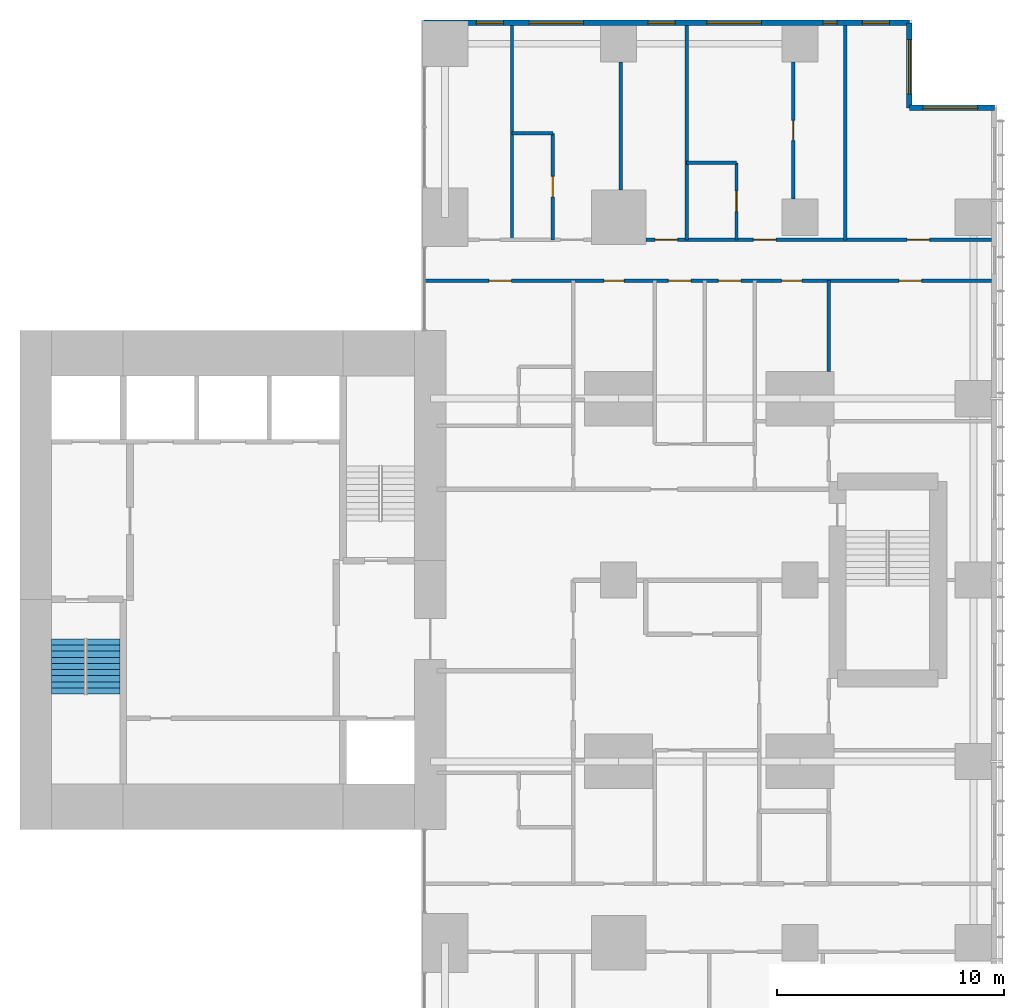
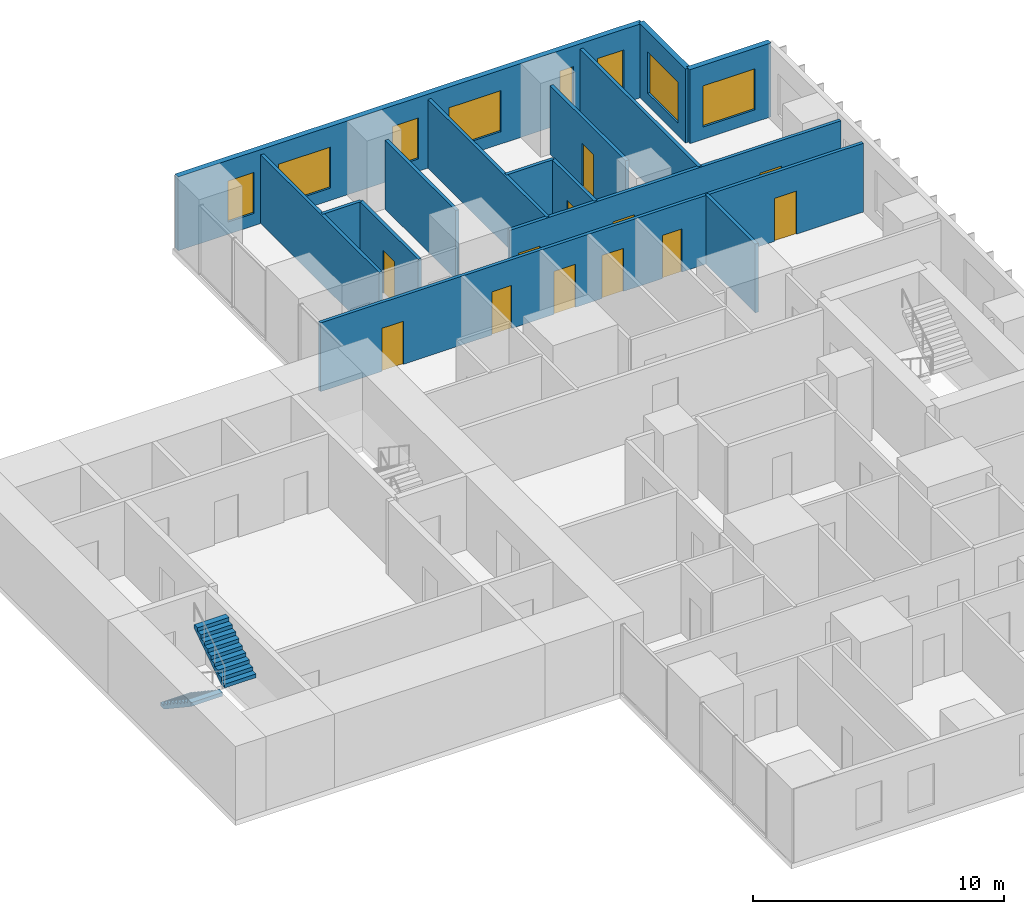
# One storey, part 10 of 12: 15 walls, 12 doors, 8 windows, 2 stair flights, 20 openings, 1 element without a shape of its own.
"""IFC4 building model written with IfcOpenShell, lengths in metres."""

from ifc_helpers import new_model, si_unit, direction, frame, frame_2d, origin, place, context, subcontext, project, spatial, polyline, rectangle, outline, extrude, material, layer, layer_set, type_object, element, fill, aggregate, save


model = new_model("IFC4")

# Units and contexts
model_context = context("Model", 3, precision=1e-05, world=origin(), true_north=direction((0.0, 1.0)))
body_context = subcontext(model_context, "Body", "Model", "MODEL_VIEW")
ifc_project = project(units=[si_unit("LENGTHUNIT", "METRE"), si_unit("AREAUNIT", "SQUARE_METRE"), si_unit("VOLUMEUNIT", "CUBIC_METRE"), si_unit("PLANEANGLEUNIT", "RADIAN"), si_unit("MASSUNIT", "GRAM", prefix="KILO")], contexts=[model_context])

# Site, building, storey
site_placement = place(None, origin())
site = spatial("IfcSite", under=ifc_project, at=site_placement, CompositionType="ELEMENT")
building_placement = place(site_placement, origin())
building = spatial("IfcBuilding", under=site, at=building_placement, Name="Cleftline Residences", CompositionType="ELEMENT")
storey_placement = place(building_placement, frame((0.0, 0.0, 266.39990234375)))
storey = spatial("IfcBuildingStorey", under=building, at=storey_placement, Name="L70", CompositionType="ELEMENT", Elevation=266.39990234375)

# Wall, opening, window
ifc_material_1 = material(Name="Rendered reinforced concrete blockwork", Category="masonry")
ifc_layer_1 = layer(ifc_material_1, 0.25)
ifc_layer_set_1 = layer_set([ifc_layer_1], Name="EXTERNAL WALL 250")
wall_type_1 = type_object("IfcWallType", Name="EXTERNAL WALL 250", PredefinedType="SOLIDWALL", material=ifc_layer_set_1)
wall_1_placement = place(storey_placement, frame((66.574951171875, 44.824951171875, 0.0), z_axis=(0.0, 0.0, 1.0), x_axis=(-1.0, 0.0, 0.0)))
wall_1 = element("IfcWall", 1, at=wall_1_placement, inside=storey, type_object=wall_type_1, Name="External wall", PredefinedType="SOLIDWALL", context=body_context, shape_type="SweptSolid", body=[
    extrude(rectangle(XDim=3.75, YDim=0.25, at=frame_2d((1.875, 0.0))), origin(), (0.0, 0.0, 1.0), 3.60009765625),
])
opening_1_placement = place(wall_1_placement, frame((0.737548828125, 0.0, 0.60009765625)))
opening_1 = element("IfcOpeningElement", 2, at=opening_1_placement, cuts=wall_1, Name="Opening W6", PredefinedType="OPENING", context=body_context, shape_type="SweptSolid", body=[
    extrude(rectangle(XDim=2.39990234375, YDim=2.0, at=frame_2d((1.199951171875, 1.0))), frame((0.0, 0.135009765625, 0.0), z_axis=(0.0, -1.0, 0.0), x_axis=(1.0, 0.0, 0.0)), (0.0, 0.0, 1.0), 0.27001953125),
])
ifc_material_2 = material(Name="Aluminium frame, clear double glazing", Category="aluminium")
window_type_1 = type_object("IfcWindowType", Name="WINDOW 2400X2000", PartitioningType="DOUBLE_PANEL_VERTICAL", PredefinedType="WINDOW", material=ifc_material_2)
window_1_placement = place(opening_1_placement, origin())
window_1 = element("IfcWindow", 3, at=window_1_placement, inside=storey, type_object=window_type_1, Name="Window", OverallHeight=2.0, OverallWidth=2.39990234375, PartitioningType="SINGLE_PANEL", PredefinedType="WINDOW", context=body_context, shape_type="SweptSolid", body=[
    extrude(rectangle(XDim=2.39990234375, YDim=2.0, at=frame_2d((1.199951171875, 1.0))), frame((0.0, 0.030029296875, 0.0), z_axis=(0.0, -1.0, 0.0), x_axis=(1.0, 0.0, 0.0)), (0.0, 0.0, 1.0), 0.06005859375),
])
fill(opening_1, window_1)

wall_2_placement = place(storey_placement, frame((62.824951171875, 44.824951171875, 0.0), z_axis=(0.0, 0.0, 1.0), x_axis=(0.0, 1.0, 0.0)))
wall_2 = element("IfcWall", 4, at=wall_2_placement, inside=storey, type_object=wall_type_1, Name="External wall", PredefinedType="SOLIDWALL", context=body_context, shape_type="SweptSolid", body=[
    extrude(rectangle(XDim=3.75, YDim=0.25, at=frame_2d((1.875, 0.0))), origin(), (0.0, 0.0, 1.0), 3.60009765625),
])
opening_2_placement = place(wall_2_placement, frame((0.612548828125, 0.0, 0.60009765625)))
opening_2 = element("IfcOpeningElement", 5, at=opening_2_placement, cuts=wall_2, Name="Opening W6", PredefinedType="OPENING", context=body_context, shape_type="SweptSolid", body=[
    extrude(rectangle(XDim=2.39990234375, YDim=2.0, at=frame_2d((1.199951171875, 1.0))), frame((0.0, 0.135009765625, 0.0), z_axis=(0.0, -1.0, 0.0), x_axis=(1.0, 0.0, 0.0)), (0.0, 0.0, 1.0), 0.27001953125),
])
window_2_placement = place(opening_2_placement, origin())
window_2 = element("IfcWindow", 6, at=window_2_placement, inside=storey, type_object=window_type_1, Name="Window", OverallHeight=2.0, OverallWidth=2.39990234375, PartitioningType="SINGLE_PANEL", PredefinedType="WINDOW", context=body_context, shape_type="SweptSolid", body=[
    extrude(rectangle(XDim=2.39990234375, YDim=2.0, at=frame_2d((1.199951171875, 1.0))), frame((0.0, 0.030029296875, 0.0), z_axis=(0.0, -1.0, 0.0), x_axis=(1.0, 0.0, 0.0)), (0.0, 0.0, 1.0), 0.06005859375),
])
fill(opening_2, window_2)

# Wall, openings, windows
wall_3_placement = place(storey_placement, frame((62.824951171875, 48.574951171875, 0.0), z_axis=(0.0, 0.0, 1.0), x_axis=(-1.0, 0.0, 0.0)))
wall_3 = element("IfcWall", 7, at=wall_3_placement, inside=storey, type_object=wall_type_1, Name="External wall", PredefinedType="SOLIDWALL", context=body_context, shape_type="SweptSolid", body=[
    extrude(rectangle(XDim=21.39990234375, YDim=0.25, at=frame_2d((10.699951171875, 0.0))), origin(), (0.0, 0.0, 1.0), 3.60009765625),
])
opening_3_placement = place(wall_3_placement, frame((0.875, 0.0, 0.60009765625)))
opening_3 = element("IfcOpeningElement", 8, at=opening_3_placement, cuts=wall_3, Name="Opening W8", PredefinedType="OPENING", context=body_context, shape_type="SweptSolid", body=[
    extrude(rectangle(XDim=1.199951171875, YDim=2.0, at=frame_2d((0.60009765625, 1.0))), frame((0.0, 0.135009765625, 0.0), z_axis=(0.0, -1.0, 0.0), x_axis=(1.0, 0.0, 0.0)), (0.0, 0.0, 1.0), 0.27001953125),
])
opening_4_placement = place(wall_3_placement, frame((3.199951171875, 0.0, 0.60009765625)))
opening_4 = element("IfcOpeningElement", 9, at=opening_4_placement, cuts=wall_3, Name="Opening W7", PredefinedType="OPENING", context=body_context, shape_type="SweptSolid", body=[
    extrude(rectangle(XDim=0.60009765625, YDim=2.0, at=frame_2d((0.300048828125, 1.0))), frame((0.0, 0.135009765625, 0.0), z_axis=(0.0, -1.0, 0.0), x_axis=(1.0, 0.0, 0.0)), (0.0, 0.0, 1.0), 0.27001953125),
])
opening_5_placement = place(wall_3_placement, frame((6.52490234375, 0.0, 0.60009765625)))
opening_5 = element("IfcOpeningElement", 10, at=opening_5_placement, cuts=wall_3, Name="Opening W6", PredefinedType="OPENING", context=body_context, shape_type="SweptSolid", body=[
    extrude(rectangle(XDim=2.39990234375, YDim=2.0, at=frame_2d((1.199951171875, 1.0))), frame((0.0, 0.135009765625, 0.0), z_axis=(0.0, -1.0, 0.0), x_axis=(1.0, 0.0, 0.0)), (0.0, 0.0, 1.0), 0.27001953125),
])
opening_6_placement = place(wall_3_placement, frame((10.324951171875, 0.0, 0.60009765625)))
opening_6 = element("IfcOpeningElement", 11, at=opening_6_placement, cuts=wall_3, Name="Opening W8", PredefinedType="OPENING", context=body_context, shape_type="SweptSolid", body=[
    extrude(rectangle(XDim=1.199951171875, YDim=2.0, at=frame_2d((0.60009765625, 1.0))), frame((0.0, 0.135009765625, 0.0), z_axis=(0.0, -1.0, 0.0), x_axis=(1.0, 0.0, 0.0)), (0.0, 0.0, 1.0), 0.27001953125),
])
opening_7_placement = place(wall_3_placement, frame((14.375, 0.0, 0.60009765625)))
opening_7 = element("IfcOpeningElement", 12, at=opening_7_placement, cuts=wall_3, Name="Opening W6", PredefinedType="OPENING", context=body_context, shape_type="SweptSolid", body=[
    extrude(rectangle(XDim=2.39990234375, YDim=2.0, at=frame_2d((1.199951171875, 1.0))), frame((0.0, 0.135009765625, 0.0), z_axis=(0.0, -1.0, 0.0), x_axis=(1.0, 0.0, 0.0)), (0.0, 0.0, 1.0), 0.27001953125),
])
opening_8_placement = place(wall_3_placement, frame((17.89990234375, 0.0, 0.60009765625)))
opening_8 = element("IfcOpeningElement", 13, at=opening_8_placement, cuts=wall_3, Name="Opening W8", PredefinedType="OPENING", context=body_context, shape_type="SweptSolid", body=[
    extrude(rectangle(XDim=1.199951171875, YDim=2.0, at=frame_2d((0.60009765625, 1.0))), frame((0.0, 0.135009765625, 0.0), z_axis=(0.0, -1.0, 0.0), x_axis=(1.0, 0.0, 0.0)), (0.0, 0.0, 1.0), 0.27001953125),
])
ifc_material_3 = material(Name="Aluminium frame, clear double glazing", Category="aluminium")
window_type_2 = type_object("IfcWindowType", Name="WINDOW 1200X2000", PartitioningType="DOUBLE_PANEL_VERTICAL", PredefinedType="WINDOW", material=ifc_material_3)
window_3_placement = place(opening_3_placement, origin())
window_3 = element("IfcWindow", 14, at=window_3_placement, inside=storey, type_object=window_type_2, Name="Window", OverallHeight=2.0, OverallWidth=1.199951171875, PartitioningType="SINGLE_PANEL", PredefinedType="WINDOW", context=body_context, shape_type="SweptSolid", body=[
    extrude(rectangle(XDim=1.199951171875, YDim=2.0, at=frame_2d((0.60009765625, 1.0))), frame((0.0, 0.030029296875, 0.0), z_axis=(0.0, -1.0, 0.0), x_axis=(1.0, 0.0, 0.0)), (0.0, 0.0, 1.0), 0.06005859375),
])
fill(opening_3, window_3)
window_4_placement = place(opening_6_placement, origin())
window_4 = element("IfcWindow", 15, at=window_4_placement, inside=storey, type_object=window_type_2, Name="Window", OverallHeight=2.0, OverallWidth=1.199951171875, PartitioningType="SINGLE_PANEL", PredefinedType="WINDOW", context=body_context, shape_type="SweptSolid", body=[
    extrude(rectangle(XDim=1.199951171875, YDim=2.0, at=frame_2d((0.60009765625, 1.0))), frame((0.0, 0.030029296875, 0.0), z_axis=(0.0, -1.0, 0.0), x_axis=(1.0, 0.0, 0.0)), (0.0, 0.0, 1.0), 0.06005859375),
])
fill(opening_6, window_4)
window_5_placement = place(opening_8_placement, origin())
window_5 = element("IfcWindow", 16, at=window_5_placement, inside=storey, type_object=window_type_2, Name="Window", OverallHeight=2.0, OverallWidth=1.199951171875, PartitioningType="SINGLE_PANEL", PredefinedType="WINDOW", context=body_context, shape_type="SweptSolid", body=[
    extrude(rectangle(XDim=1.199951171875, YDim=2.0, at=frame_2d((0.60009765625, 1.0))), frame((0.0, 0.030029296875, 0.0), z_axis=(0.0, -1.0, 0.0), x_axis=(1.0, 0.0, 0.0)), (0.0, 0.0, 1.0), 0.06005859375),
])
fill(opening_8, window_5)
window_6_placement = place(opening_5_placement, origin())
window_6 = element("IfcWindow", 17, at=window_6_placement, inside=storey, type_object=window_type_1, Name="Window", OverallHeight=2.0, OverallWidth=2.39990234375, PartitioningType="SINGLE_PANEL", PredefinedType="WINDOW", context=body_context, shape_type="SweptSolid", body=[
    extrude(rectangle(XDim=2.39990234375, YDim=2.0, at=frame_2d((1.199951171875, 1.0))), frame((0.0, 0.030029296875, 0.0), z_axis=(0.0, -1.0, 0.0), x_axis=(1.0, 0.0, 0.0)), (0.0, 0.0, 1.0), 0.06005859375),
])
fill(opening_5, window_6)
window_7_placement = place(opening_7_placement, origin())
window_7 = element("IfcWindow", 18, at=window_7_placement, inside=storey, type_object=window_type_1, Name="Window", OverallHeight=2.0, OverallWidth=2.39990234375, PartitioningType="SINGLE_PANEL", PredefinedType="WINDOW", context=body_context, shape_type="SweptSolid", body=[
    extrude(rectangle(XDim=2.39990234375, YDim=2.0, at=frame_2d((1.199951171875, 1.0))), frame((0.0, 0.030029296875, 0.0), z_axis=(0.0, -1.0, 0.0), x_axis=(1.0, 0.0, 0.0)), (0.0, 0.0, 1.0), 0.06005859375),
])
fill(opening_7, window_7)
ifc_material_4 = material(Name="Aluminium frame, clear double glazing", Category="aluminium")
window_type_3 = type_object("IfcWindowType", Name="WINDOW 600X2000", PartitioningType="DOUBLE_PANEL_VERTICAL", PredefinedType="WINDOW", material=ifc_material_4)
window_8_placement = place(opening_4_placement, origin())
window_8 = element("IfcWindow", 19, at=window_8_placement, inside=storey, type_object=window_type_3, Name="Window", OverallHeight=2.0, OverallWidth=0.60009765625, PartitioningType="SINGLE_PANEL", PredefinedType="WINDOW", context=body_context, shape_type="SweptSolid", body=[
    extrude(rectangle(XDim=0.60009765625, YDim=2.0, at=frame_2d((0.300048828125, 1.0))), frame((0.0, 0.030029296875, 0.0), z_axis=(0.0, -1.0, 0.0), x_axis=(1.0, 0.0, 0.0)), (0.0, 0.0, 1.0), 0.06005859375),
])
fill(opening_4, window_8)

# Wall, openings, doors
ifc_material_5 = material(Name="Gypsum board on steel studs", Category="steel")
ifc_layer_2 = layer(ifc_material_5, 0.14990234375)
ifc_layer_set_2 = layer_set([ifc_layer_2], Name="PARTITION 150")
wall_type_2 = type_object("IfcWallType", Name="PARTITION 150", PredefinedType="PARTITIONING", material=ifc_layer_set_2)
wall_4_placement = place(storey_placement, frame((41.43896484375, 37.199951171875, 0.0), z_axis=(0.0, 0.0, 1.0), x_axis=(1.0, 0.0, 0.0)))
wall_4 = element("IfcWall", 20, at=wall_4_placement, inside=storey, type_object=wall_type_2, Name="Partition", PredefinedType="PARTITIONING", context=body_context, shape_type="SweptSolid", body=[
    extrude(rectangle(XDim=25.010986328125, YDim=0.14990234375, at=frame_2d((12.50537109375, 0.0))), origin(), (0.0, 0.0, 1.0), 3.35009765625),
])
opening_9_placement = place(wall_4_placement, frame((10.760986328125, 0.0, 0.0)))
opening_9 = element("IfcOpeningElement", 21, at=opening_9_placement, cuts=wall_4, Name="Opening D2", PredefinedType="OPENING", context=body_context, shape_type="SweptSolid", body=[
    extrude(rectangle(XDim=1.0, YDim=2.10009765625, at=frame_2d((0.5, 1.050048828125))), frame((0.0, 0.0849609375, 0.0), z_axis=(0.0, -1.0, 0.0), x_axis=(1.0, 0.0, 0.0)), (0.0, 0.0, 1.0), 0.169921875),
])
opening_10_placement = place(wall_4_placement, frame((20.923583984375, 0.0, 0.0)))
opening_10 = element("IfcOpeningElement", 22, at=opening_10_placement, cuts=wall_4, Name="Opening D2", PredefinedType="OPENING", context=body_context, shape_type="SweptSolid", body=[
    extrude(rectangle(XDim=1.0, YDim=2.10009765625, at=frame_2d((0.5, 1.050048828125))), frame((0.0, 0.0849609375, 0.0), z_axis=(0.0, -1.0, 0.0), x_axis=(1.0, 0.0, 0.0)), (0.0, 0.0, 1.0), 0.169921875),
])
opening_11_placement = place(wall_4_placement, frame((15.74853515625, 0.0, 0.0)))
opening_11 = element("IfcOpeningElement", 23, at=opening_11_placement, cuts=wall_4, Name="Opening D1", PredefinedType="OPENING", context=body_context, shape_type="SweptSolid", body=[
    extrude(rectangle(XDim=0.89990234375, YDim=2.10009765625, at=frame_2d((0.449951171875, 1.050048828125))), frame((0.0, 0.0849609375, 0.0), z_axis=(0.0, -1.0, 0.0), x_axis=(1.0, 0.0, 0.0)), (0.0, 0.0, 1.0), 0.169921875),
])
opening_12_placement = place(wall_4_placement, frame((12.9609375, 0.0, 0.0)))
opening_12 = element("IfcOpeningElement", 24, at=opening_12_placement, cuts=wall_4, Name="Opening D2", PredefinedType="OPENING", context=body_context, shape_type="SweptSolid", body=[
    extrude(rectangle(XDim=1.0, YDim=2.10009765625, at=frame_2d((0.5, 1.050048828125))), frame((0.0, 0.0849609375, 0.0), z_axis=(0.0, -1.0, 0.0), x_axis=(1.0, 0.0, 0.0)), (0.0, 0.0, 1.0), 0.169921875),
])
opening_13_placement = place(wall_4_placement, frame((7.910888671875, 0.0, 0.0)))
opening_13 = element("IfcOpeningElement", 25, at=opening_13_placement, cuts=wall_4, Name="Opening D1", PredefinedType="OPENING", context=body_context, shape_type="SweptSolid", body=[
    extrude(rectangle(XDim=0.89990234375, YDim=2.10009765625, at=frame_2d((0.449951171875, 1.050048828125))), frame((0.0, 0.0849609375, 0.0), z_axis=(0.0, -1.0, 0.0), x_axis=(1.0, 0.0, 0.0)), (0.0, 0.0, 1.0), 0.169921875),
])
opening_14_placement = place(wall_4_placement, frame((2.8359375, 0.0, 0.0)))
opening_14 = element("IfcOpeningElement", 26, at=opening_14_placement, cuts=wall_4, Name="Opening D2", PredefinedType="OPENING", context=body_context, shape_type="SweptSolid", body=[
    extrude(rectangle(XDim=1.0, YDim=2.10009765625, at=frame_2d((0.5, 1.050048828125))), frame((0.0, 0.0849609375, 0.0), z_axis=(0.0, -1.0, 0.0), x_axis=(1.0, 0.0, 0.0)), (0.0, 0.0, 1.0), 0.169921875),
])
ifc_material_6 = material(Name="Timber veneer on solid core", Category="wood")
door_type_1 = type_object("IfcDoorType", Name="DOOR 1000X2100", OperationType="SINGLE_SWING_LEFT", PredefinedType="DOOR", material=ifc_material_6)
door_1_placement = place(opening_9_placement, origin())
door_1 = element("IfcDoor", 27, at=door_1_placement, inside=storey, type_object=door_type_1, Name="Door to residence hall", OperationType="SINGLE_SWING_RIGHT", OverallHeight=2.10009765625, OverallWidth=1.0, PredefinedType="DOOR", context=body_context, shape_type="SweptSolid", body=[
    extrude(rectangle(XDim=1.0, YDim=2.10009765625, at=frame_2d((0.5, 1.050048828125))), frame((0.0, 0.02490234375, 0.0), z_axis=(0.0, -1.0, 0.0), x_axis=(1.0, 0.0, 0.0)), (0.0, 0.0, 1.0), 0.050048828125),
])
fill(opening_9, door_1)
door_2_placement = place(opening_10_placement, origin())
door_2 = element("IfcDoor", 28, at=door_2_placement, inside=storey, type_object=door_type_1, Name="Door to master bedroom", OperationType="SINGLE_SWING_LEFT", OverallHeight=2.10009765625, OverallWidth=1.0, PredefinedType="DOOR", context=body_context, shape_type="SweptSolid", body=[
    extrude(rectangle(XDim=1.0, YDim=2.10009765625, at=frame_2d((0.5, 1.050048828125))), frame((0.0, 0.02490234375, 0.0), z_axis=(0.0, -1.0, 0.0), x_axis=(1.0, 0.0, 0.0)), (0.0, 0.0, 1.0), 0.050048828125),
])
fill(opening_10, door_2)
door_3_placement = place(opening_12_placement, origin())
door_3 = element("IfcDoor", 29, at=door_3_placement, inside=storey, type_object=door_type_1, Name="Door to family room", OperationType="SINGLE_SWING_LEFT", OverallHeight=2.10009765625, OverallWidth=1.0, PredefinedType="DOOR", context=body_context, shape_type="SweptSolid", body=[
    extrude(rectangle(XDim=1.0, YDim=2.10009765625, at=frame_2d((0.5, 1.050048828125))), frame((0.0, 0.02490234375, 0.0), z_axis=(0.0, -1.0, 0.0), x_axis=(1.0, 0.0, 0.0)), (0.0, 0.0, 1.0), 0.050048828125),
])
fill(opening_12, door_3)
door_4_placement = place(opening_14_placement, origin())
door_4 = element("IfcDoor", 30, at=door_4_placement, inside=storey, type_object=door_type_1, Name="Door to bedroom 4", OperationType="SINGLE_SWING_RIGHT", OverallHeight=2.10009765625, OverallWidth=1.0, PredefinedType="DOOR", context=body_context, shape_type="SweptSolid", body=[
    extrude(rectangle(XDim=1.0, YDim=2.10009765625, at=frame_2d((0.5, 1.050048828125))), frame((0.0, 0.02490234375, 0.0), z_axis=(0.0, -1.0, 0.0), x_axis=(1.0, 0.0, 0.0)), (0.0, 0.0, 1.0), 0.050048828125),
])
fill(opening_14, door_4)
ifc_material_7 = material(Name="Timber veneer on solid core", Category="wood")
door_type_2 = type_object("IfcDoorType", Name="DOOR 900X2100", OperationType="SINGLE_SWING_LEFT", PredefinedType="DOOR", material=ifc_material_7)
door_5_placement = place(opening_11_placement, origin())
door_5 = element("IfcDoor", 31, at=door_5_placement, inside=storey, type_object=door_type_2, Name="Door to master bathroom", OperationType="SINGLE_SWING_LEFT", OverallHeight=2.10009765625, OverallWidth=0.89990234375, PredefinedType="DOOR", context=body_context, shape_type="SweptSolid", body=[
    extrude(rectangle(XDim=0.89990234375, YDim=2.10009765625, at=frame_2d((0.449951171875, 1.050048828125))), frame((0.0, 0.02490234375, 0.0), z_axis=(0.0, -1.0, 0.0), x_axis=(1.0, 0.0, 0.0)), (0.0, 0.0, 1.0), 0.050048828125),
])
fill(opening_11, door_5)
door_6_placement = place(opening_13_placement, origin())
door_6 = element("IfcDoor", 32, at=door_6_placement, inside=storey, type_object=door_type_2, Name="Door to master dressing room", OperationType="SINGLE_SWING_RIGHT", OverallHeight=2.10009765625, OverallWidth=0.89990234375, PredefinedType="DOOR", context=body_context, shape_type="SweptSolid", body=[
    extrude(rectangle(XDim=0.89990234375, YDim=2.10009765625, at=frame_2d((0.449951171875, 1.050048828125))), frame((0.0, 0.02490234375, 0.0), z_axis=(0.0, -1.0, 0.0), x_axis=(1.0, 0.0, 0.0)), (0.0, 0.0, 1.0), 0.050048828125),
])
fill(opening_13, door_6)

wall_5_placement = place(storey_placement, frame((51.199951171875, 39.0, 0.0), z_axis=(0.0, 0.0, 1.0), x_axis=(1.0, 0.0, 0.0)))
wall_5 = element("IfcWall", 33, at=wall_5_placement, inside=storey, type_object=wall_type_2, Name="Partition", PredefinedType="PARTITIONING", context=body_context, shape_type="SweptSolid", body=[
    extrude(rectangle(XDim=15.25, YDim=0.14990234375, at=frame_2d((7.625, 0.0))), origin(), (0.0, 0.0, 1.0), 3.35009765625),
])
opening_15_placement = place(wall_5_placement, frame((11.52490234375, 0.0, 0.0)))
opening_15 = element("IfcOpeningElement", 34, at=opening_15_placement, cuts=wall_5, Name="Opening D2", PredefinedType="OPENING", context=body_context, shape_type="SweptSolid", body=[
    extrude(rectangle(XDim=1.0, YDim=2.10009765625, at=frame_2d((0.5, 1.050048828125))), frame((0.0, 0.0849609375, 0.0), z_axis=(0.0, -1.0, 0.0), x_axis=(1.0, 0.0, 0.0)), (0.0, 0.0, 1.0), 0.169921875),
])
opening_16_placement = place(wall_5_placement, frame((4.75, 0.0, 0.0)))
opening_16 = element("IfcOpeningElement", 35, at=opening_16_placement, cuts=wall_5, Name="Opening D2", PredefinedType="OPENING", context=body_context, shape_type="SweptSolid", body=[
    extrude(rectangle(XDim=1.0, YDim=2.10009765625, at=frame_2d((0.5, 1.050048828125))), frame((0.0, 0.0849609375, 0.0), z_axis=(0.0, -1.0, 0.0), x_axis=(1.0, 0.0, 0.0)), (0.0, 0.0, 1.0), 0.169921875),
])
opening_17_placement = place(wall_5_placement, frame((0.39990234375, 0.0, 0.0)))
opening_17 = element("IfcOpeningElement", 36, at=opening_17_placement, cuts=wall_5, Name="Opening D2", PredefinedType="OPENING", context=body_context, shape_type="SweptSolid", body=[
    extrude(rectangle(XDim=1.0, YDim=2.10009765625, at=frame_2d((0.5, 1.050048828125))), frame((0.0, 0.0849609375, 0.0), z_axis=(0.0, -1.0, 0.0), x_axis=(1.0, 0.0, 0.0)), (0.0, 0.0, 1.0), 0.169921875),
])
door_7_placement = place(opening_15_placement, origin())
door_7 = element("IfcDoor", 37, at=door_7_placement, inside=storey, type_object=door_type_1, Name="Door to gym", OperationType="SINGLE_SWING_LEFT", OverallHeight=2.10009765625, OverallWidth=1.0, PredefinedType="DOOR", context=body_context, shape_type="SweptSolid", body=[
    extrude(rectangle(XDim=1.0, YDim=2.10009765625, at=frame_2d((0.5, 1.050048828125))), frame((0.0, 0.02490234375, 0.0), z_axis=(0.0, -1.0, 0.0), x_axis=(1.0, 0.0, 0.0)), (0.0, 0.0, 1.0), 0.050048828125),
])
fill(opening_15, door_7)
door_8_placement = place(opening_16_placement, origin())
door_8 = element("IfcDoor", 38, at=door_8_placement, inside=storey, type_object=door_type_1, Name="Door to bedroom 2", OperationType="SINGLE_SWING_RIGHT", OverallHeight=2.10009765625, OverallWidth=1.0, PredefinedType="DOOR", context=body_context, shape_type="SweptSolid", body=[
    extrude(rectangle(XDim=1.0, YDim=2.10009765625, at=frame_2d((0.5, 1.050048828125))), frame((0.0, 0.02490234375, 0.0), z_axis=(0.0, -1.0, 0.0), x_axis=(1.0, 0.0, 0.0)), (0.0, 0.0, 1.0), 0.050048828125),
])
fill(opening_16, door_8)
door_9_placement = place(opening_17_placement, origin())
door_9 = element("IfcDoor", 39, at=door_9_placement, inside=storey, type_object=door_type_1, Name="Door to bedroom 3 sitting room", OperationType="SINGLE_SWING_RIGHT", OverallHeight=2.10009765625, OverallWidth=1.0, PredefinedType="DOOR", context=body_context, shape_type="SweptSolid", body=[
    extrude(rectangle(XDim=1.0, YDim=2.10009765625, at=frame_2d((0.5, 1.050048828125))), frame((0.0, 0.02490234375, 0.0), z_axis=(0.0, -1.0, 0.0), x_axis=(1.0, 0.0, 0.0)), (0.0, 0.0, 1.0), 0.050048828125),
])
fill(opening_17, door_9)

# Walls
wall_6_placement = place(storey_placement, frame((53.0, 42.39990234375, 0.0), z_axis=(0.0, 0.0, 1.0), x_axis=(1.0, 0.0, 0.0)))
element("IfcWall", 40, at=wall_6_placement, inside=storey, type_object=wall_type_2, Name="Partition", PredefinedType="PARTITIONING", context=body_context, shape_type="SweptSolid", body=[
    extrude(rectangle(XDim=2.199951171875, YDim=0.14990234375, at=frame_2d((1.10009765625, 0.0))), origin(), (0.0, 0.0, 1.0), 3.35009765625),
])
wall_7_placement = place(storey_placement, frame((45.300048828125, 43.699951171875, 0.0), z_axis=(0.0, 0.0, 1.0), x_axis=(1.0, 0.0, 0.0)))
element("IfcWall", 41, at=wall_7_placement, inside=storey, type_object=wall_type_2, Name="Partition", PredefinedType="PARTITIONING", context=body_context, shape_type="SweptSolid", body=[
    extrude(rectangle(XDim=1.800048828125, YDim=0.14990234375, at=frame_2d((0.89990234375, 0.0))), origin(), (0.0, 0.0, 1.0), 3.35009765625),
])
wall_8_placement = place(storey_placement, frame((45.300048828125, 39.0, 0.0), z_axis=(0.0, 0.0, 1.0), x_axis=(0.0, 1.0, 0.0)))
element("IfcWall", 42, at=wall_8_placement, inside=storey, type_object=wall_type_2, Name="Partition", PredefinedType="PARTITIONING", context=body_context, shape_type="SweptSolid", body=[
    extrude(rectangle(XDim=9.449951171875, YDim=0.14990234375, at=frame_2d((4.72509765625, 0.0))), origin(), (0.0, 0.0, 1.0), 3.35009765625),
])

# Wall, opening, door
wall_9_placement = place(storey_placement, frame((47.10009765625, 39.0, 0.0), z_axis=(0.0, 0.0, 1.0), x_axis=(0.0, 1.0, 0.0)))
wall_9 = element("IfcWall", 43, at=wall_9_placement, inside=storey, type_object=wall_type_2, Name="Partition", PredefinedType="PARTITIONING", context=body_context, shape_type="SweptSolid", body=[
    extrude(rectangle(XDim=4.699951171875, YDim=0.14990234375, at=frame_2d((2.35009765625, 0.0))), origin(), (0.0, 0.0, 1.0), 3.35009765625),
])
opening_18_placement = place(wall_9_placement, frame((1.89990234375, 0.0, 0.0)))
opening_18 = element("IfcOpeningElement", 44, at=opening_18_placement, cuts=wall_9, Name="Opening D1", PredefinedType="OPENING", context=body_context, shape_type="SweptSolid", body=[
    extrude(rectangle(XDim=0.89990234375, YDim=2.10009765625, at=frame_2d((0.449951171875, 1.050048828125))), frame((0.0, 0.0849609375, 0.0), z_axis=(0.0, -1.0, 0.0), x_axis=(1.0, 0.0, 0.0)), (0.0, 0.0, 1.0), 0.169921875),
])
door_10_placement = place(opening_18_placement, origin())
door_10 = element("IfcDoor", 45, at=door_10_placement, inside=storey, type_object=door_type_2, Name="Door to en-suite bathroom 3", OperationType="SINGLE_SWING_LEFT", OverallHeight=2.10009765625, OverallWidth=0.89990234375, PredefinedType="DOOR", context=body_context, shape_type="SweptSolid", body=[
    extrude(rectangle(XDim=0.89990234375, YDim=2.10009765625, at=frame_2d((0.449951171875, 1.050048828125))), frame((0.0, 0.02490234375, 0.0), z_axis=(0.0, -1.0, 0.0), x_axis=(1.0, 0.0, 0.0)), (0.0, 0.0, 1.0), 0.050048828125),
])
fill(opening_18, door_10)

# Walls
wall_10_placement = place(storey_placement, frame((50.10009765625, 41.199951171875, 0.0), z_axis=(0.0, 0.0, 1.0), x_axis=(0.0, 1.0, 0.0)))
element("IfcWall", 46, at=wall_10_placement, inside=storey, type_object=wall_type_2, Name="Partition", PredefinedType="PARTITIONING", context=body_context, shape_type="SweptSolid", body=[
    extrude(rectangle(XDim=5.650146484375, YDim=0.14990234375, at=frame_2d((2.8251953125, 0.0))), origin(), (0.0, 0.0, 1.0), 3.35009765625),
])
wall_11_placement = place(storey_placement, frame((53.0, 39.0, 0.0), z_axis=(0.0, 0.0, 1.0), x_axis=(0.0, 1.0, 0.0)))
element("IfcWall", 47, at=wall_11_placement, inside=storey, type_object=wall_type_2, Name="Partition", PredefinedType="PARTITIONING", context=body_context, shape_type="SweptSolid", body=[
    extrude(rectangle(XDim=9.449951171875, YDim=0.14990234375, at=frame_2d((4.72509765625, 0.0))), origin(), (0.0, 0.0, 1.0), 3.35009765625),
])

# Wall, opening, door
wall_12_placement = place(storey_placement, frame((55.199951171875, 39.0, 0.0), z_axis=(0.0, 0.0, 1.0), x_axis=(0.0, 1.0, 0.0)))
wall_12 = element("IfcWall", 48, at=wall_12_placement, inside=storey, type_object=wall_type_2, Name="Partition", PredefinedType="PARTITIONING", context=body_context, shape_type="SweptSolid", body=[
    extrude(rectangle(XDim=3.39990234375, YDim=0.14990234375, at=frame_2d((1.699951171875, 0.0))), origin(), (0.0, 0.0, 1.0), 3.35009765625),
])
opening_19_placement = place(wall_12_placement, frame((1.25, 0.0, 0.0)))
opening_19 = element("IfcOpeningElement", 49, at=opening_19_placement, cuts=wall_12, Name="Opening D1", PredefinedType="OPENING", context=body_context, shape_type="SweptSolid", body=[
    extrude(rectangle(XDim=0.89990234375, YDim=2.10009765625, at=frame_2d((0.449951171875, 1.050048828125))), frame((0.0, 0.0849609375, 0.0), z_axis=(0.0, -1.0, 0.0), x_axis=(1.0, 0.0, 0.0)), (0.0, 0.0, 1.0), 0.169921875),
])
door_11_placement = place(opening_19_placement, origin())
door_11 = element("IfcDoor", 50, at=door_11_placement, inside=storey, type_object=door_type_2, Name="Door to en-suite bathroom 2", OperationType="SINGLE_SWING_LEFT", OverallHeight=2.10009765625, OverallWidth=0.89990234375, PredefinedType="DOOR", context=body_context, shape_type="SweptSolid", body=[
    extrude(rectangle(XDim=0.89990234375, YDim=2.10009765625, at=frame_2d((0.449951171875, 1.050048828125))), frame((0.0, 0.02490234375, 0.0), z_axis=(0.0, -1.0, 0.0), x_axis=(1.0, 0.0, 0.0)), (0.0, 0.0, 1.0), 0.050048828125),
])
fill(opening_19, door_11)

wall_13_placement = place(storey_placement, frame((57.699951171875, 40.800048828125, 0.0), z_axis=(0.0, 0.0, 1.0), x_axis=(0.0, 1.0, 0.0)))
wall_13 = element("IfcWall", 51, at=wall_13_placement, inside=storey, type_object=wall_type_2, Name="Partition", PredefinedType="PARTITIONING", context=body_context, shape_type="SweptSolid", body=[
    extrude(rectangle(XDim=6.050048828125, YDim=0.14990234375, at=frame_2d((3.02490234375, 0.0))), origin(), (0.0, 0.0, 1.0), 3.35009765625),
])
opening_20_placement = place(wall_13_placement, frame((2.574951171875, 0.0, 0.0)))
opening_20 = element("IfcOpeningElement", 52, at=opening_20_placement, cuts=wall_13, Name="Opening D1", PredefinedType="OPENING", context=body_context, shape_type="SweptSolid", body=[
    extrude(rectangle(XDim=0.89990234375, YDim=2.10009765625, at=frame_2d((0.449951171875, 1.050048828125))), frame((0.0, 0.0849609375, 0.0), z_axis=(0.0, -1.0, 0.0), x_axis=(1.0, 0.0, 0.0)), (0.0, 0.0, 1.0), 0.169921875),
])
door_12_placement = place(opening_20_placement, origin())
door_12 = element("IfcDoor", 53, at=door_12_placement, inside=storey, type_object=door_type_2, Name="Door to walk-in wardrobe", OperationType="SINGLE_SWING_LEFT", OverallHeight=2.10009765625, OverallWidth=0.89990234375, PredefinedType="DOOR", context=body_context, shape_type="SweptSolid", body=[
    extrude(rectangle(XDim=0.89990234375, YDim=2.10009765625, at=frame_2d((0.449951171875, 1.050048828125))), frame((0.0, 0.02490234375, 0.0), z_axis=(0.0, -1.0, 0.0), x_axis=(1.0, 0.0, 0.0)), (0.0, 0.0, 1.0), 0.050048828125),
])
fill(opening_20, door_12)

# Walls
wall_14_placement = place(storey_placement, frame((59.27490234375, 33.199951171875, 0.0), z_axis=(0.0, 0.0, 1.0), x_axis=(0.0, 1.0, 0.0)))
element("IfcWall", 54, at=wall_14_placement, inside=storey, type_object=wall_type_2, Name="Partition", PredefinedType="PARTITIONING", context=body_context, shape_type="SweptSolid", body=[
    extrude(rectangle(XDim=4.0, YDim=0.14990234375, at=frame_2d((2.0, 0.0))), origin(), (0.0, 0.0, 1.0), 3.35009765625),
])
wall_15_placement = place(storey_placement, frame((60.0, 39.0, 0.0), z_axis=(0.0, 0.0, 1.0), x_axis=(0.0, 1.0, 0.0)))
element("IfcWall", 55, at=wall_15_placement, inside=storey, type_object=wall_type_2, Name="Partition", PredefinedType="PARTITIONING", context=body_context, shape_type="SweptSolid", body=[
    extrude(rectangle(XDim=9.449951171875, YDim=0.14990234375, at=frame_2d((4.72509765625, 0.0))), origin(), (0.0, 0.0, 1.0), 3.35009765625),
])

# Stair, stair flights
ifc_material_8 = material(Name="Concrete B45, stone treads", Category="masonry")
stair_type = type_object("IfcStairType", Name="STAIR A 1450 WIDE 180 RISER", PredefinedType="HALF_TURN_STAIR", material=ifc_material_8)
stair_placement = place(storey_placement, origin())
stair = element("IfcStair", 56, at=stair_placement, inside=storey, type_object=stair_type, Name="Stair A L70", PredefinedType="HALF_TURN_STAIR")
ifc_material_9 = material(Name="Concrete B45", Category="concrete")
stair_flight_type = type_object("IfcStairFlightType", Name="STAIR A FLIGHT 1450X180", PredefinedType="STRAIGHT", material=ifc_material_9)
stair_flight_1_placement = place(storey_placement, frame((25.72509765625, 21.39990234375, 0.0), z_axis=(0.0, 0.0, 1.0), x_axis=(0.0, -1.0, 0.0)))
stair_flight_1 = element("IfcStairFlight", 57, at=stair_flight_1_placement, type_object=stair_flight_type, Name="ST-A flight 1", NumberOfRisers=10, NumberOfTreads=9, PredefinedType="STRAIGHT", RiserHeight=0.18, TreadLength=0.27, context=body_context, shape_type="SweptSolid", body=[
    extrude(outline(polyline([(0.0, 0.0), (0.0, 0.013916015625), (0.0, 0.027587890625), (0.0, 0.04150390625), (0.0, 0.055419921875), (0.0, 0.0693359375), (0.0, 0.0830078125), (0.0, 0.096923828125), (0.0, 0.11083984375), (0.0, 0.12451171875), (0.0, 0.138427734375), (0.0, 0.15234375), (0.0, 0.166259765625), (0.0, 0.179931640625), (0.27001953125, 0.179931640625), (0.27001953125, 0.360107421875), (0.5400390625, 0.360107421875), (0.5400390625, 0.5400390625), (0.81005859375, 0.5400390625), (0.81005859375, 0.719970703125), (1.080078125, 0.719970703125), (1.080078125, 0.89990234375), (1.35009765625, 0.89990234375), (1.35009765625, 1.080078125), (1.6201171875, 1.080078125), (1.6201171875, 1.260009765625), (1.889892578125, 1.260009765625), (1.889892578125, 1.43994140625), (2.159912109375, 1.43994140625), (2.159912109375, 1.6201171875), (2.429931640625, 1.6201171875), (2.429931640625, 1.800048828125), (2.429931640625, 1.772216796875), (2.429931640625, 1.74462890625), (2.429931640625, 1.716796875), (2.429931640625, 1.689208984375), (2.429931640625, 1.661376953125), (2.429931640625, 1.6337890625), (2.429931640625, 1.60595703125), (2.429931640625, 1.578369140625), (2.429931640625, 1.550537109375), (2.429931640625, 1.52294921875), (2.429931640625, 1.495361328125), (2.429931640625, 1.467529296875), (2.429931640625, 1.43994140625), (0.270263671875, 0.0), (0.0, 0.0)])), frame((0.0, 0.72509765625, 0.0), z_axis=(0.0, -1.0, 0.0), x_axis=(1.0, 0.0, 0.0)), (0.0, 0.0, 1.0), 1.449951171875),
])
stair_flight_2_placement = place(storey_placement, frame((27.27490234375, 18.969970703125, 1.800048828125), z_axis=(0.0, 0.0, 1.0), x_axis=(0.0, 1.0, 0.0)))
stair_flight_2 = element("IfcStairFlight", 58, at=stair_flight_2_placement, type_object=stair_flight_type, Name="ST-A flight 2", NumberOfRisers=10, NumberOfTreads=9, PredefinedType="STRAIGHT", RiserHeight=0.18, TreadLength=0.27, context=body_context, shape_type="SweptSolid", body=[
    extrude(outline(polyline([(0.0, 0.0), (0.0, 0.013916015625), (0.0, 0.027587890625), (0.0, 0.04150390625), (0.0, 0.055419921875), (0.0, 0.0693359375), (0.0, 0.0830078125), (0.0, 0.096923828125), (0.0, 0.11083984375), (0.0, 0.12451171875), (0.0, 0.138427734375), (0.0, 0.15234375), (0.0, 0.166259765625), (0.0, 0.179931640625), (0.27001953125, 0.179931640625), (0.27001953125, 0.360107421875), (0.5400390625, 0.360107421875), (0.5400390625, 0.5400390625), (0.81005859375, 0.5400390625), (0.81005859375, 0.719970703125), (1.080078125, 0.719970703125), (1.080078125, 0.89990234375), (1.35009765625, 0.89990234375), (1.35009765625, 1.080078125), (1.6201171875, 1.080078125), (1.6201171875, 1.260009765625), (1.889892578125, 1.260009765625), (1.889892578125, 1.43994140625), (2.159912109375, 1.43994140625), (2.159912109375, 1.6201171875), (2.429931640625, 1.6201171875), (2.429931640625, 1.800048828125), (2.429931640625, 1.772216796875), (2.429931640625, 1.74462890625), (2.429931640625, 1.716796875), (2.429931640625, 1.689208984375), (2.429931640625, 1.661376953125), (2.429931640625, 1.6337890625), (2.429931640625, 1.60595703125), (2.429931640625, 1.578369140625), (2.429931640625, 1.550537109375), (2.429931640625, 1.52294921875), (2.429931640625, 1.495361328125), (2.429931640625, 1.467529296875), (2.429931640625, 1.43994140625), (0.270263671875, 0.0), (0.0, 0.0)])), frame((0.0, 0.72509765625, 0.0), z_axis=(0.0, -1.0, 0.0), x_axis=(1.0, 0.0, 0.0)), (0.0, 0.0, 1.0), 1.449951171875),
])
aggregate(stair, [stair_flight_1, stair_flight_2])

save(model, "model.ifc")
